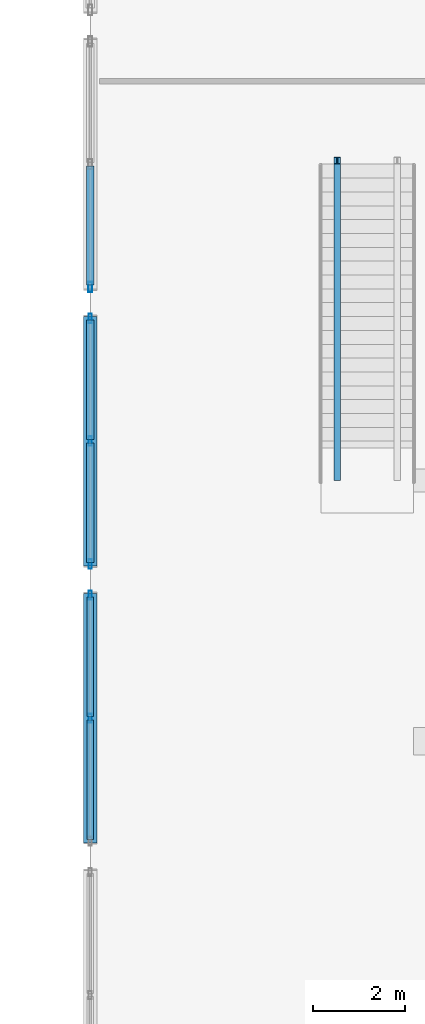
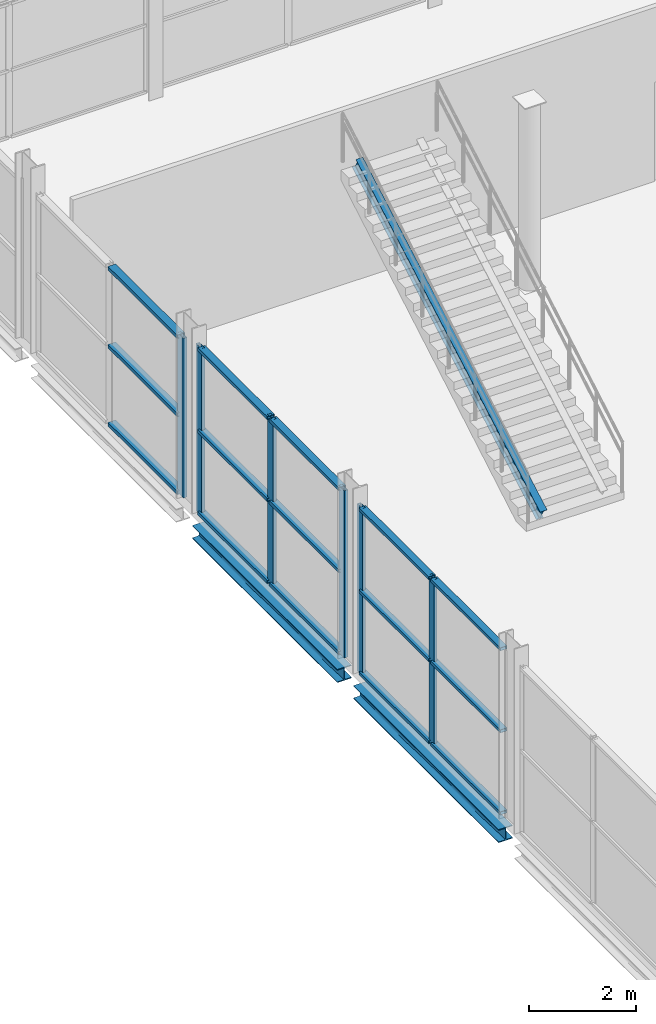
# One storey, part 28 of 140: 22 members, 2 beams, 3 elements without a shape of their own.
"""IFC4 building model written with IfcOpenShell, lengths in metres."""

from ifc_helpers import new_model, si_unit, direction, frame, origin, origin_2d, place, context, subcontext, project, spatial, hollow_rectangle, i_section, extrude, material, layer, layer_set, material_profile, profile_set, type_object, element, aggregate, save


model = new_model("IFC4")

# Units and contexts
model_context = context("Model", 3, precision=1e-05, world=origin(), true_north=direction((0.0, 1.0)))
body_context = subcontext(model_context, "Body", "Model", "MODEL_VIEW")
ifc_project = project(units=[si_unit("LENGTHUNIT", "METRE"), si_unit("AREAUNIT", "SQUARE_METRE"), si_unit("VOLUMEUNIT", "CUBIC_METRE"), si_unit("PLANEANGLEUNIT", "RADIAN"), si_unit("MASSUNIT", "GRAM", prefix="KILO")], contexts=[model_context])

# Site, building, storey
site_placement = place(None, origin())
site = spatial("IfcSite", under=ifc_project, at=site_placement, CompositionType="ELEMENT")
building_placement = place(site_placement, origin())
building = spatial("IfcBuilding", under=site, at=building_placement, Name="Deido Ridge Mobility Hub", CompositionType="ELEMENT")
storey_placement = place(building_placement, origin())
storey = spatial("IfcBuildingStorey", under=building, at=storey_placement, Name="L00", CompositionType="ELEMENT", Elevation=0.0)

# Curtain wall, members
ifc_material_1 = material(Name="Anodised aluminium EN AW-6063 T6", Category="aluminium")
ifc_layer_1 = layer(ifc_material_1, 0.239990234375, Name="Anodised aluminium EN AW-6063 T6")
ifc_layer_set_1 = layer_set([ifc_layer_1], Name="Anodised aluminium EN AW-6063 T6")
curtain_wall_type_1 = type_object("IfcCurtainWallType", Name="CW-UF-6", PredefinedType="USERDEFINED", material=ifc_layer_set_1)
curtain_wall_1_placement = place(storey_placement, origin())
curtain_wall_1 = element("IfcCurtainWall", 1, at=curtain_wall_1_placement, inside=storey, type_object=curtain_wall_type_1, Name="Unitised curtain wall CW6", ObjectType="UNITISED FACADE", PredefinedType="USERDEFINED")
ifc_material_profile_1 = material_profile(ifc_material_1, hollow_rectangle(XDim=0.070068359375, YDim=0.18994140625, WallThickness=0.00390625, at=origin_2d()), Name="RHS 70x190x4")
ifc_profile_set_1 = profile_set([ifc_material_profile_1], Name="Anodised aluminium EN AW-6063 T6")
member_type_1 = type_object("IfcMemberType", Name="MEM-MUL-70X190", PredefinedType="MULLION", material=ifc_profile_set_1)
member_1_placement = place(storey_placement, frame((0.0, 15.0, 0.0), z_axis=(0.0, 0.0, 1.0), x_axis=(-1.0, 0.0, 0.0)))
member_1 = element("IfcMember", 2, at=member_1_placement, type_object=member_type_1, Name="CW6 mullion 2", PredefinedType="MULLION", context=body_context, shape_type="SweptSolid", body=[
    extrude(hollow_rectangle(XDim=0.070068359375, YDim=0.18994140625, WallThickness=0.00390625, at=origin_2d()), origin(), (0.0, 0.0, 1.0), 3.800048828125),
])
member_2_placement = place(storey_placement, frame((0.0, 17.6650390625, 0.0), z_axis=(0.0, 0.0, 1.0), x_axis=(-1.0, 0.0, 0.0)))
member_2 = element("IfcMember", 3, at=member_2_placement, type_object=member_type_1, Name="CW6 mullion 3", PredefinedType="MULLION", context=body_context, shape_type="SweptSolid", body=[
    extrude(hollow_rectangle(XDim=0.070068359375, YDim=0.18994140625, WallThickness=0.00390625, at=origin_2d()), origin(), (0.0, 0.0, 1.0), 3.800048828125),
])

ifc_layer_2 = layer(ifc_material_1, 0.2548828125, Name="Anodised aluminium EN AW-6063 T6")
ifc_layer_set_2 = layer_set([ifc_layer_2], Name="Anodised aluminium EN AW-6063 T6")
curtain_wall_type_2 = type_object("IfcCurtainWallType", Name="CW-UF-7", PredefinedType="USERDEFINED", material=ifc_layer_set_2)
curtain_wall_2_placement = place(storey_placement, origin())
curtain_wall_2 = element("IfcCurtainWall", 4, at=curtain_wall_2_placement, inside=storey, type_object=curtain_wall_type_2, Name="Unitised curtain wall CW7", ObjectType="UNITISED FACADE", PredefinedType="USERDEFINED")
ifc_material_profile_2 = material_profile(ifc_material_1, hollow_rectangle(XDim=0.074951171875, YDim=0.205078125, WallThickness=0.00390625, at=origin_2d()), Name="RHS 75x205x4")
ifc_profile_set_2 = profile_set([ifc_material_profile_2], Name="Anodised aluminium EN AW-6063 T6")
member_type_2 = type_object("IfcMemberType", Name="MEM-MUL-75X205", PredefinedType="MULLION", material=ifc_profile_set_2)
member_3_placement = place(storey_placement, frame((0.0, 18.33740234375, 0.0), z_axis=(0.0, 0.0, 1.0), x_axis=(-1.0, 0.0, 0.0)))
member_3 = element("IfcMember", 5, at=member_3_placement, type_object=member_type_2, Name="CW7 mullion 1", PredefinedType="MULLION", context=body_context, shape_type="SweptSolid", body=[
    extrude(hollow_rectangle(XDim=0.074951171875, YDim=0.205078125, WallThickness=0.00390625, at=origin_2d()), origin(), (0.0, 0.0, 1.0), 3.800048828125),
])
member_4_placement = place(storey_placement, frame((0.0, 21.0, 0.0), z_axis=(0.0, 0.0, 1.0), x_axis=(-1.0, 0.0, 0.0)))
member_4 = element("IfcMember", 6, at=member_4_placement, type_object=member_type_2, Name="CW7 mullion 2", PredefinedType="MULLION", context=body_context, shape_type="SweptSolid", body=[
    extrude(hollow_rectangle(XDim=0.074951171875, YDim=0.205078125, WallThickness=0.00390625, at=origin_2d()), origin(), (0.0, 0.0, 1.0), 3.800048828125),
])
member_5_placement = place(storey_placement, frame((0.0, 23.66259765625, 0.0), z_axis=(0.0, 0.0, 1.0), x_axis=(-1.0, 0.0, 0.0)))
member_5 = element("IfcMember", 7, at=member_5_placement, type_object=member_type_2, Name="CW7 mullion 3", PredefinedType="MULLION", context=body_context, shape_type="SweptSolid", body=[
    extrude(hollow_rectangle(XDim=0.074951171875, YDim=0.205078125, WallThickness=0.00390625, at=origin_2d()), origin(), (0.0, 0.0, 1.0), 3.800048828125),
])

# Curtain wall, member
ifc_layer_3 = layer(ifc_material_1, 0.27001953125, Name="Anodised aluminium EN AW-6063 T6")
ifc_layer_set_3 = layer_set([ifc_layer_3], Name="Anodised aluminium EN AW-6063 T6")
curtain_wall_type_3 = type_object("IfcCurtainWallType", Name="CW-UF-8", PredefinedType="USERDEFINED", material=ifc_layer_set_3)
curtain_wall_3_placement = place(storey_placement, origin())
curtain_wall_3 = element("IfcCurtainWall", 8, at=curtain_wall_3_placement, inside=storey, type_object=curtain_wall_type_3, Name="Unitised curtain wall CW8", ObjectType="UNITISED FACADE", PredefinedType="USERDEFINED")
ifc_material_profile_3 = material_profile(ifc_material_1, hollow_rectangle(XDim=0.080078125, YDim=0.219970703125, WallThickness=0.00390625, at=origin_2d()), Name="RHS 80x220x4")
ifc_profile_set_3 = profile_set([ifc_material_profile_3], Name="Anodised aluminium EN AW-6063 T6")
member_type_3 = type_object("IfcMemberType", Name="MEM-MUL-80X220", PredefinedType="MULLION", material=ifc_profile_set_3)
member_6_placement = place(storey_placement, frame((0.0, 24.340087890625, 0.0), z_axis=(0.0, 0.0, 1.0), x_axis=(-1.0, 0.0, 0.0)))
member_6 = element("IfcMember", 9, at=member_6_placement, type_object=member_type_3, Name="CW8 mullion 1", PredefinedType="MULLION", context=body_context, shape_type="SweptSolid", body=[
    extrude(hollow_rectangle(XDim=0.080078125, YDim=0.219970703125, WallThickness=0.00390625, at=origin_2d()), origin(), (0.0, 0.0, 1.0), 3.625),
])

# Member
ifc_material_2 = material(Name="Steel S355J2 EN 10025-2", Category="steel")
ifc_material_profile_4 = material_profile(ifc_material_2, i_section(OverallWidth=0.14990234375, OverallDepth=0.300048828125, WebThickness=0.007080078125, FlangeThickness=0.0107421875, FilletRadius=0.014892578125, at=origin_2d()), Name="IPE 300")
ifc_profile_set_4 = profile_set([ifc_material_profile_4], Name="Steel S355J2 EN 10025-2")
member_type_4 = type_object("IfcMemberType", Name="MEM-STG-IPE300", PredefinedType="STRINGER", material=ifc_profile_set_4)
member_7_placement = place(storey_placement, frame((5.35009765625, 20.219970703125, 0.1650390625), z_axis=(0.0, 0.871783430325, 0.489891468196), x_axis=(-1.0, 0.0, 0.0)))
element("IfcMember", 10, at=member_7_placement, inside=storey, type_object=member_type_4, Name="Concourse stair steel stringer SG1", PredefinedType="STRINGER", context=body_context, shape_type="SweptSolid", body=[
    extrude(i_section(OverallWidth=0.14990234375, OverallDepth=0.300048828125, WebThickness=0.007080078125, FlangeThickness=0.0107421875, FilletRadius=0.014892578125, at=origin_2d()), origin(), (0.0, 0.0, 1.0), 7.869140625),
])

ifc_material_profile_5 = material_profile(ifc_material_1, hollow_rectangle(XDim=0.14501953125, YDim=0.070068359375, WallThickness=0.00390625, at=origin_2d()), Name="RHS 145x70x4")
ifc_profile_set_5 = profile_set([ifc_material_profile_5], Name="Anodised aluminium EN AW-6063 T6")
member_type_5 = type_object("IfcMemberType", Name="MEM-TRN-145X70", PredefinedType="USERDEFINED", material=ifc_profile_set_5)
member_8_placement = place(storey_placement, frame((0.0, 12.3701171875, 0.034912109375), z_axis=(0.0, 1.0, 0.0), x_axis=(-1.0, 0.0, 0.0)))
member_8 = element("IfcMember", 11, at=member_8_placement, type_object=member_type_5, Name="CW6 transom 1.1", ObjectType="TRANSOM", PredefinedType="USERDEFINED", context=body_context, shape_type="SweptSolid", body=[
    extrude(hollow_rectangle(XDim=0.14501953125, YDim=0.070068359375, WallThickness=0.00390625, at=origin_2d()), origin(), (0.0, 0.0, 1.0), 2.594970703125),
])

member_9_placement = place(storey_placement, frame((0.0, 12.3701171875, 1.89990234375), z_axis=(0.0, 1.0, 0.0), x_axis=(-1.0, 0.0, 0.0)))
member_9 = element("IfcMember", 12, at=member_9_placement, type_object=member_type_5, Name="CW6 transom 1.2", ObjectType="TRANSOM", PredefinedType="USERDEFINED", context=body_context, shape_type="SweptSolid", body=[
    extrude(hollow_rectangle(XDim=0.14501953125, YDim=0.070068359375, WallThickness=0.00390625, at=origin_2d()), origin(), (0.0, 0.0, 1.0), 2.594970703125),
])

member_10_placement = place(storey_placement, frame((0.0, 12.3701171875, 3.764892578125), z_axis=(0.0, 1.0, 0.0), x_axis=(-1.0, 0.0, 0.0)))
member_10 = element("IfcMember", 13, at=member_10_placement, type_object=member_type_5, Name="CW6 transom 1.3", ObjectType="TRANSOM", PredefinedType="USERDEFINED", context=body_context, shape_type="SweptSolid", body=[
    extrude(hollow_rectangle(XDim=0.14501953125, YDim=0.070068359375, WallThickness=0.00390625, at=origin_2d()), origin(), (0.0, 0.0, 1.0), 2.594970703125),
])

member_11_placement = place(storey_placement, frame((0.0, 15.034912109375, 0.034912109375), z_axis=(0.0, 1.0, 0.0), x_axis=(-1.0, 0.0, 0.0)))
member_11 = element("IfcMember", 14, at=member_11_placement, type_object=member_type_5, Name="CW6 transom 2.1", ObjectType="TRANSOM", PredefinedType="USERDEFINED", context=body_context, shape_type="SweptSolid", body=[
    extrude(hollow_rectangle(XDim=0.14501953125, YDim=0.070068359375, WallThickness=0.00390625, at=origin_2d()), origin(), (0.0, 0.0, 1.0), 2.594970703125),
])

member_12_placement = place(storey_placement, frame((0.0, 15.034912109375, 1.89990234375), z_axis=(0.0, 1.0, 0.0), x_axis=(-1.0, 0.0, 0.0)))
member_12 = element("IfcMember", 15, at=member_12_placement, type_object=member_type_5, Name="CW6 transom 2.2", ObjectType="TRANSOM", PredefinedType="USERDEFINED", context=body_context, shape_type="SweptSolid", body=[
    extrude(hollow_rectangle(XDim=0.14501953125, YDim=0.070068359375, WallThickness=0.00390625, at=origin_2d()), origin(), (0.0, 0.0, 1.0), 2.594970703125),
])

member_13_placement = place(storey_placement, frame((0.0, 15.034912109375, 3.764892578125), z_axis=(0.0, 1.0, 0.0), x_axis=(-1.0, 0.0, 0.0)))
member_13 = element("IfcMember", 16, at=member_13_placement, type_object=member_type_5, Name="CW6 transom 2.3", ObjectType="TRANSOM", PredefinedType="USERDEFINED", context=body_context, shape_type="SweptSolid", body=[
    extrude(hollow_rectangle(XDim=0.14501953125, YDim=0.070068359375, WallThickness=0.00390625, at=origin_2d()), origin(), (0.0, 0.0, 1.0), 2.594970703125),
])

aggregate(curtain_wall_1, [member_1, member_2, member_8, member_9, member_10, member_11, member_12, member_13])

ifc_material_profile_6 = material_profile(ifc_material_1, hollow_rectangle(XDim=0.155029296875, YDim=0.074951171875, WallThickness=0.00390625, at=origin_2d()), Name="RHS 155x75x4")
ifc_profile_set_6 = profile_set([ifc_material_profile_6], Name="Anodised aluminium EN AW-6063 T6")
member_type_6 = type_object("IfcMemberType", Name="MEM-TRN-155X75", PredefinedType="USERDEFINED", material=ifc_profile_set_6)
member_14_placement = place(storey_placement, frame((0.0, 18.375, 0.03759765625), z_axis=(0.0, 1.0, 0.0), x_axis=(-1.0, 0.0, 0.0)))
member_14 = element("IfcMember", 17, at=member_14_placement, type_object=member_type_6, Name="CW7 transom 1.1", ObjectType="TRANSOM", PredefinedType="USERDEFINED", context=body_context, shape_type="SweptSolid", body=[
    extrude(hollow_rectangle(XDim=0.155029296875, YDim=0.074951171875, WallThickness=0.00390625, at=origin_2d()), origin(), (0.0, 0.0, 1.0), 2.58740234375),
])

member_15_placement = place(storey_placement, frame((0.0, 18.375, 1.89990234375), z_axis=(0.0, 1.0, 0.0), x_axis=(-1.0, 0.0, 0.0)))
member_15 = element("IfcMember", 18, at=member_15_placement, type_object=member_type_6, Name="CW7 transom 1.2", ObjectType="TRANSOM", PredefinedType="USERDEFINED", context=body_context, shape_type="SweptSolid", body=[
    extrude(hollow_rectangle(XDim=0.155029296875, YDim=0.074951171875, WallThickness=0.00390625, at=origin_2d()), origin(), (0.0, 0.0, 1.0), 2.58740234375),
])

member_16_placement = place(storey_placement, frame((0.0, 18.375, 3.762451171875), z_axis=(0.0, 1.0, 0.0), x_axis=(-1.0, 0.0, 0.0)))
member_16 = element("IfcMember", 19, at=member_16_placement, type_object=member_type_6, Name="CW7 transom 1.3", ObjectType="TRANSOM", PredefinedType="USERDEFINED", context=body_context, shape_type="SweptSolid", body=[
    extrude(hollow_rectangle(XDim=0.155029296875, YDim=0.074951171875, WallThickness=0.00390625, at=origin_2d()), origin(), (0.0, 0.0, 1.0), 2.58740234375),
])

member_17_placement = place(storey_placement, frame((0.0, 21.03759765625, 0.03759765625), z_axis=(0.0, 1.0, 0.0), x_axis=(-1.0, 0.0, 0.0)))
member_17 = element("IfcMember", 20, at=member_17_placement, type_object=member_type_6, Name="CW7 transom 2.1", ObjectType="TRANSOM", PredefinedType="USERDEFINED", context=body_context, shape_type="SweptSolid", body=[
    extrude(hollow_rectangle(XDim=0.155029296875, YDim=0.074951171875, WallThickness=0.00390625, at=origin_2d()), origin(), (0.0, 0.0, 1.0), 2.58740234375),
])

member_18_placement = place(storey_placement, frame((0.0, 21.03759765625, 1.89990234375), z_axis=(0.0, 1.0, 0.0), x_axis=(-1.0, 0.0, 0.0)))
member_18 = element("IfcMember", 21, at=member_18_placement, type_object=member_type_6, Name="CW7 transom 2.2", ObjectType="TRANSOM", PredefinedType="USERDEFINED", context=body_context, shape_type="SweptSolid", body=[
    extrude(hollow_rectangle(XDim=0.155029296875, YDim=0.074951171875, WallThickness=0.00390625, at=origin_2d()), origin(), (0.0, 0.0, 1.0), 2.58740234375),
])

member_19_placement = place(storey_placement, frame((0.0, 21.03759765625, 3.762451171875), z_axis=(0.0, 1.0, 0.0), x_axis=(-1.0, 0.0, 0.0)))
member_19 = element("IfcMember", 22, at=member_19_placement, type_object=member_type_6, Name="CW7 transom 2.3", ObjectType="TRANSOM", PredefinedType="USERDEFINED", context=body_context, shape_type="SweptSolid", body=[
    extrude(hollow_rectangle(XDim=0.155029296875, YDim=0.074951171875, WallThickness=0.00390625, at=origin_2d()), origin(), (0.0, 0.0, 1.0), 2.58740234375),
])

aggregate(curtain_wall_2, [member_3, member_4, member_5, member_14, member_15, member_16, member_17, member_18, member_19])

ifc_material_profile_7 = material_profile(ifc_material_1, hollow_rectangle(XDim=0.1650390625, YDim=0.080078125, WallThickness=0.00390625, at=origin_2d()), Name="RHS 165x80x4")
ifc_profile_set_7 = profile_set([ifc_material_profile_7], Name="Anodised aluminium EN AW-6063 T6")
member_type_7 = type_object("IfcMemberType", Name="MEM-TRN-165X80", PredefinedType="USERDEFINED", material=ifc_profile_set_7)
member_20_placement = place(storey_placement, frame((0.0, 24.3798828125, 0.0400390625), z_axis=(0.0, 1.0, 0.0), x_axis=(-1.0, 0.0, 0.0)))
member_20 = element("IfcMember", 23, at=member_20_placement, type_object=member_type_7, Name="CW8 transom 1.1", ObjectType="TRANSOM", PredefinedType="USERDEFINED", context=body_context, shape_type="SweptSolid", body=[
    extrude(hollow_rectangle(XDim=0.1650390625, YDim=0.080078125, WallThickness=0.00390625, at=origin_2d()), origin(), (0.0, 0.0, 1.0), 2.580078125),
])

member_21_placement = place(storey_placement, frame((0.0, 24.3798828125, 1.8125), z_axis=(0.0, 1.0, 0.0), x_axis=(-1.0, 0.0, 0.0)))
member_21 = element("IfcMember", 24, at=member_21_placement, type_object=member_type_7, Name="CW8 transom 1.2", ObjectType="TRANSOM", PredefinedType="USERDEFINED", context=body_context, shape_type="SweptSolid", body=[
    extrude(hollow_rectangle(XDim=0.1650390625, YDim=0.080078125, WallThickness=0.00390625, at=origin_2d()), origin(), (0.0, 0.0, 1.0), 2.580078125),
])

member_22_placement = place(storey_placement, frame((0.0, 24.3798828125, 3.5849609375), z_axis=(0.0, 1.0, 0.0), x_axis=(-1.0, 0.0, 0.0)))
member_22 = element("IfcMember", 25, at=member_22_placement, type_object=member_type_7, Name="CW8 transom 1.3", ObjectType="TRANSOM", PredefinedType="USERDEFINED", context=body_context, shape_type="SweptSolid", body=[
    extrude(hollow_rectangle(XDim=0.1650390625, YDim=0.080078125, WallThickness=0.00390625, at=origin_2d()), origin(), (0.0, 0.0, 1.0), 2.580078125),
])

aggregate(curtain_wall_3, [member_6, member_20, member_21, member_22])

# Beams
ifc_material_profile_8 = material_profile(ifc_material_2, i_section(OverallWidth=0.300048828125, OverallDepth=0.300048828125, WebThickness=0.010986328125, FlangeThickness=0.01904296875, FilletRadius=0.027099609375, at=origin_2d()), Name="HEB 300")
ifc_profile_set_8 = profile_set([ifc_material_profile_8], Name="Steel S355J2 EN 10025-2")
beam_type = type_object("IfcBeamType", Name="SPD-HEB300", PredefinedType="SPANDREL", material=ifc_profile_set_8)
for number, where, z_axis, x_axis, name in (
    (26, (0.0, 12.300048828125, -0.409912109375), (0.0, 1.0, 0.0), (-1.0, 0.0, 0.0), "Floor beam SP1"),
    (27, (0.0, 18.300048828125, -0.409912109375), (0.0, 1.0, 0.0), (-1.0, 0.0, 0.0), "Floor beam SP1"),
):
    element("IfcBeam", number, at=place(storey_placement, frame(where, z_axis=z_axis, x_axis=x_axis)), inside=storey, type_object=beam_type, Name=name, PredefinedType="SPANDREL", context=body_context, shape_type="SweptSolid", body=[
        extrude(i_section(OverallWidth=0.300048828125, OverallDepth=0.300048828125, WebThickness=0.010986328125, FlangeThickness=0.01904296875, FilletRadius=0.027099609375, at=origin_2d()), origin(), (0.0, 0.0, 1.0), 5.39990234375),
    ])

save(model, "model.ifc")
